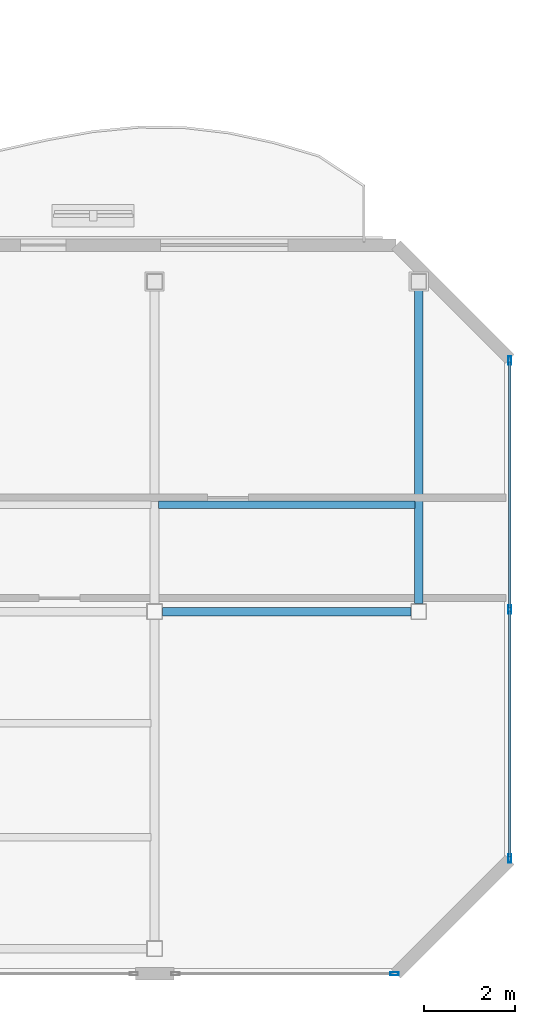
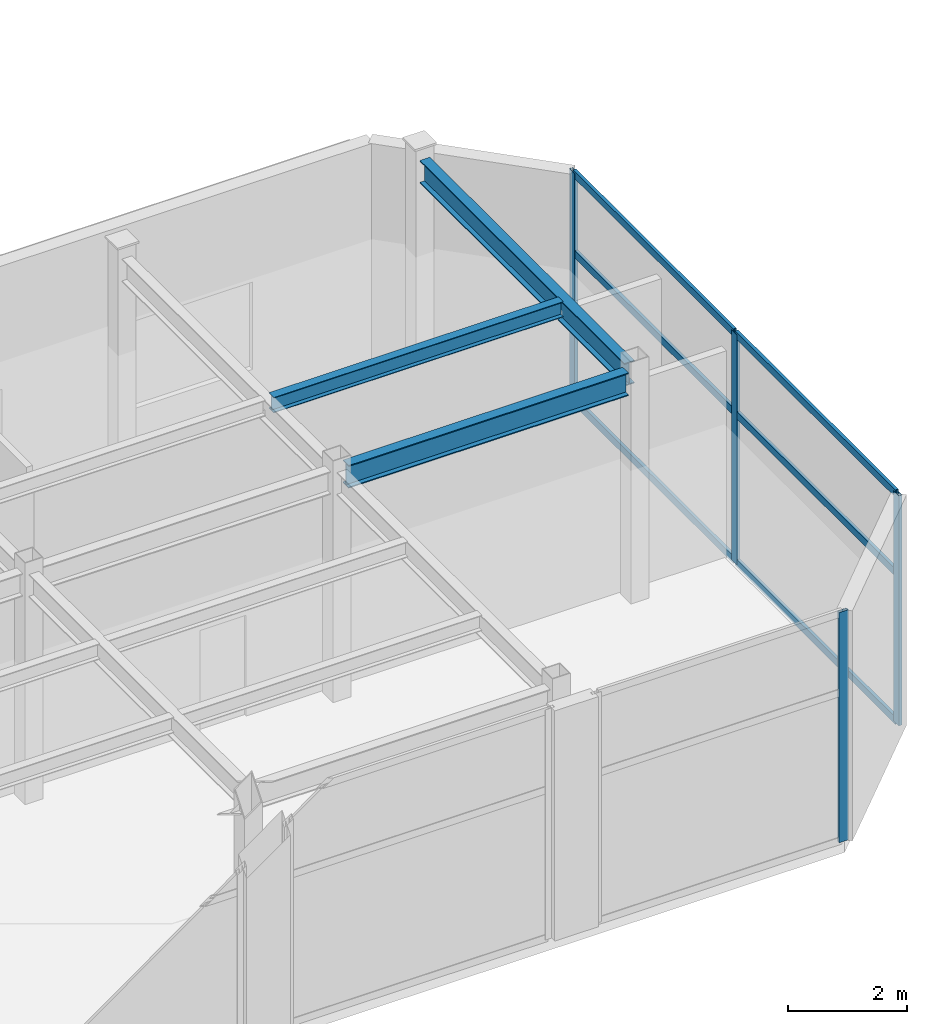
# One storey, part 7 of 16: 10 members, 3 beams, 2 elements without a shape of their own.
"""IFC4 building model written with IfcOpenShell, lengths in metres."""

from ifc_helpers import new_model, si_unit, direction, frame, origin, origin_2d, place, context, subcontext, project, spatial, hollow_rectangle, i_section, extrude, material, layer, layer_set, material_profile, profile_set, type_object, element, aggregate, save


model = new_model("IFC4")

# Units and contexts
model_context = context("Model", 3, precision=1e-05, world=origin(), true_north=direction((0.0, 1.0)))
body_context = subcontext(model_context, "Body", "Model", "MODEL_VIEW")
ifc_project = project(units=[si_unit("LENGTHUNIT", "METRE"), si_unit("AREAUNIT", "SQUARE_METRE"), si_unit("VOLUMEUNIT", "CUBIC_METRE"), si_unit("PLANEANGLEUNIT", "RADIAN"), si_unit("MASSUNIT", "GRAM", prefix="KILO")], contexts=[model_context])

# Site, building, storey
site_placement = place(None, origin())
site = spatial("IfcSite", under=ifc_project, at=site_placement, CompositionType="ELEMENT")
building_placement = place(site_placement, origin())
building = spatial("IfcBuilding", under=site, at=building_placement, Name="Mawjaban Terraces University", CompositionType="ELEMENT")
storey_placement = place(building_placement, frame((0.0, 0.0, 311.699951171875)))
storey = spatial("IfcBuildingStorey", under=building, at=storey_placement, Name="L76", CompositionType="ELEMENT", Elevation=311.699951171875)

# Beams
ifc_material_1 = material(Name="Steel ASTM A572 Grade 50", Category="steel")
ifc_material_profile_1 = material_profile(ifc_material_1, i_section(OverallWidth=0.194091796875, OverallDepth=0.468994140625, WebThickness=0.011474609375, FlangeThickness=0.0205078125, at=origin_2d()), Name="W460X106")
ifc_profile_set_1 = profile_set([ifc_material_profile_1], Name="Steel ASTM A572 Grade 50")
beam_type_1 = type_object("IfcBeamType", Name="Beam_B_W460X106", PredefinedType="BEAM", material=ifc_profile_set_1)
beam_1_placement = place(storey_placement, frame((52.175048828125, 7.949951171875, 4.505126953125), z_axis=(1.0, 0.0, 0.0), x_axis=(0.0, 1.0, 0.0)))
element("IfcBeam", 1, at=beam_1_placement, inside=storey, type_object=beam_type_1, Name="L76 Beam BM-L76-EW-05", PredefinedType="BEAM", context=body_context, shape_type="SweptSolid", body=[
    extrude(i_section(OverallWidth=0.194091796875, OverallDepth=0.468994140625, WebThickness=0.011474609375, FlangeThickness=0.0205078125, at=origin_2d()), origin(), (0.0, 0.0, 1.0), 5.449951171875),
])
beam_2_placement = place(storey_placement, frame((57.800048828125, 8.125, 4.505126953125), z_axis=(0.0, 1.0, 0.0), x_axis=(-1.0, 0.0, 0.0)))
element("IfcBeam", 2, at=beam_2_placement, inside=storey, type_object=beam_type_1, Name="L76 Beam BM-L76-NS-12", PredefinedType="BEAM", context=body_context, shape_type="SweptSolid", body=[
    extrude(i_section(OverallWidth=0.194091796875, OverallDepth=0.468994140625, WebThickness=0.011474609375, FlangeThickness=0.0205078125, at=origin_2d()), origin(), (0.0, 0.0, 1.0), 6.89990234375),
])
ifc_material_profile_2 = material_profile(ifc_material_1, i_section(OverallWidth=0.1669921875, OverallDepth=0.318115234375, WebThickness=0.007568359375, FlangeThickness=0.01318359375, at=origin_2d()), Name="W310X52")
ifc_profile_set_2 = profile_set([ifc_material_profile_2], Name="Steel ASTM A572 Grade 50")
beam_type_2 = type_object("IfcBeamType", Name="Beam_J_W310X52", PredefinedType="JOIST", material=ifc_profile_set_2)
beam_3_placement = place(storey_placement, frame((52.080078125, 10.300048828125, 4.5810546875), z_axis=(1.0, 0.0, 0.0), x_axis=(0.0, 1.0, 0.0)))
element("IfcBeam", 3, at=beam_3_placement, inside=storey, type_object=beam_type_2, Name="L76 Composite Joist JST-L76-07", PredefinedType="JOIST", context=body_context, shape_type="SweptSolid", body=[
    extrude(i_section(OverallWidth=0.1669921875, OverallDepth=0.318115234375, WebThickness=0.007568359375, FlangeThickness=0.01318359375, at=origin_2d()), origin(), (0.0, 0.0, 1.0), 5.639892578125),
])

# Curtain wall, member
ifc_material_2 = material(Name="Anodised aluminium 6063-T6 and solar-control low-E glass", Category="aluminium")
ifc_layer = layer(ifc_material_2, 0.199951171875)
ifc_layer_set = layer_set([ifc_layer], Name="Anodised aluminium 6063-T6 and solar-control low-E glass")
curtain_wall_type = type_object("IfcCurtainWallType", Name="CWSystem_06_ObservationCrown", PredefinedType="NOTDEFINED", material=ifc_layer_set)
curtain_wall_1_placement = place(storey_placement, origin())
curtain_wall_1 = element("IfcCurtainWall", 4, at=curtain_wall_1_placement, inside=storey, type_object=curtain_wall_type, Name="L76 Curtain Wall CW-06 Run 1.5", PredefinedType="NOTDEFINED")
ifc_material_3 = material(Name="Anodised aluminium 6063-T6", Category="aluminium")
ifc_material_profile_3 = material_profile(ifc_material_3, hollow_rectangle(XDim=0.06494140625, YDim=0.179931640625, WallThickness=0.00390625, at=origin_2d()), Name="ALU180X65X4")
ifc_profile_set_3 = profile_set([ifc_material_profile_3], Name="Anodised aluminium 6063-T6")
member_type_1 = type_object("IfcMemberType", Name="Mullion_CW-06", PredefinedType="MULLION", material=ifc_profile_set_3)
member_1_placement = place(storey_placement, frame((57.267578125, 0.0, 0.0), z_axis=(0.0, 0.0, 1.0), x_axis=(0.0, 1.0, 0.0)))
member_1 = element("IfcMember", 5, at=member_1_placement, type_object=member_type_1, Name="CW-06 mullion 2", PredefinedType="MULLION", context=body_context, shape_type="SweptSolid", body=[
    extrude(hollow_rectangle(XDim=0.06494140625, YDim=0.179931640625, WallThickness=0.00390625, at=origin_2d()), origin(), (0.0, 0.0, 1.0), 4.739990234375),
])
aggregate(curtain_wall_1, [member_1])

# Curtain wall, members
curtain_wall_2_placement = place(storey_placement, origin())
curtain_wall_2 = element("IfcCurtainWall", 6, at=curtain_wall_2_placement, inside=storey, type_object=curtain_wall_type, Name="L76 Curtain Wall CW-06 Run 3.1", PredefinedType="NOTDEFINED")
member_2_placement = place(storey_placement, frame((59.800048828125, 2.532470703125, 0.0), z_axis=(0.0, 0.0, 1.0), x_axis=(-1.0, 0.0, 0.0)))
member_2 = element("IfcMember", 7, at=member_2_placement, type_object=member_type_1, Name="CW-06 mullion 1", PredefinedType="MULLION", context=body_context, shape_type="SweptSolid", body=[
    extrude(hollow_rectangle(XDim=0.06494140625, YDim=0.179931640625, WallThickness=0.00390625, at=origin_2d()), origin(), (0.0, 0.0, 1.0), 4.739990234375),
])
member_3_placement = place(storey_placement, frame((59.800048828125, 8.0, 0.0), z_axis=(0.0, 0.0, 1.0), x_axis=(-1.0, 0.0, 0.0)))
member_3 = element("IfcMember", 8, at=member_3_placement, type_object=member_type_1, Name="CW-06 mullion 2", PredefinedType="MULLION", context=body_context, shape_type="SweptSolid", body=[
    extrude(hollow_rectangle(XDim=0.06494140625, YDim=0.179931640625, WallThickness=0.00390625, at=origin_2d()), origin(), (0.0, 0.0, 1.0), 4.739990234375),
])
member_4_placement = place(storey_placement, frame((59.800048828125, 13.467529296875, 0.0), z_axis=(0.0, 0.0, 1.0), x_axis=(-1.0, 0.0, 0.0)))
member_4 = element("IfcMember", 9, at=member_4_placement, type_object=member_type_1, Name="CW-06 mullion 3", PredefinedType="MULLION", context=body_context, shape_type="SweptSolid", body=[
    extrude(hollow_rectangle(XDim=0.06494140625, YDim=0.179931640625, WallThickness=0.00390625, at=origin_2d()), origin(), (0.0, 0.0, 1.0), 4.739990234375),
])
ifc_material_profile_4 = material_profile(ifc_material_3, hollow_rectangle(XDim=0.06005859375, YDim=0.14990234375, WallThickness=0.00390625, at=origin_2d()), Name="ALU150X60X4")
ifc_profile_set_4 = profile_set([ifc_material_profile_4], Name="Anodised aluminium 6063-T6")
member_type_2 = type_object("IfcMemberType", Name="Transom_CW-06", PredefinedType="NOTDEFINED", material=ifc_profile_set_4)
member_5_placement = place(storey_placement, frame((59.800048828125, 2.56494140625, 0.030029296875), z_axis=(0.0, 1.0, 0.0), x_axis=(-1.0, 0.0, 0.0)))
member_5 = element("IfcMember", 10, at=member_5_placement, type_object=member_type_2, Name="CW-06 transom 1.1", ObjectType="TRANSOM", PredefinedType="USERDEFINED", context=body_context, shape_type="SweptSolid", body=[
    extrude(hollow_rectangle(XDim=0.06005859375, YDim=0.14990234375, WallThickness=0.00390625, at=origin_2d()), origin(), (0.0, 0.0, 1.0), 5.402587890625),
])
member_6_placement = place(storey_placement, frame((59.800048828125, 2.56494140625, 3.0810546875), z_axis=(0.0, 1.0, 0.0), x_axis=(-1.0, 0.0, 0.0)))
member_6 = element("IfcMember", 11, at=member_6_placement, type_object=member_type_2, Name="CW-06 transom 1.2", ObjectType="TRANSOM", PredefinedType="USERDEFINED", context=body_context, shape_type="SweptSolid", body=[
    extrude(hollow_rectangle(XDim=0.06005859375, YDim=0.14990234375, WallThickness=0.00390625, at=origin_2d()), origin(), (0.0, 0.0, 1.0), 5.402587890625),
])
member_7_placement = place(storey_placement, frame((59.800048828125, 2.56494140625, 4.7099609375), z_axis=(0.0, 1.0, 0.0), x_axis=(-1.0, 0.0, 0.0)))
member_7 = element("IfcMember", 12, at=member_7_placement, type_object=member_type_2, Name="CW-06 transom 1.3", ObjectType="TRANSOM", PredefinedType="USERDEFINED", context=body_context, shape_type="SweptSolid", body=[
    extrude(hollow_rectangle(XDim=0.06005859375, YDim=0.14990234375, WallThickness=0.00390625, at=origin_2d()), origin(), (0.0, 0.0, 1.0), 5.402587890625),
])
member_8_placement = place(storey_placement, frame((59.800048828125, 8.032470703125, 0.030029296875), z_axis=(0.0, 1.0, 0.0), x_axis=(-1.0, 0.0, 0.0)))
member_8 = element("IfcMember", 13, at=member_8_placement, type_object=member_type_2, Name="CW-06 transom 2.1", ObjectType="TRANSOM", PredefinedType="USERDEFINED", context=body_context, shape_type="SweptSolid", body=[
    extrude(hollow_rectangle(XDim=0.06005859375, YDim=0.14990234375, WallThickness=0.00390625, at=origin_2d()), origin(), (0.0, 0.0, 1.0), 5.402587890625),
])
member_9_placement = place(storey_placement, frame((59.800048828125, 8.032470703125, 3.0810546875), z_axis=(0.0, 1.0, 0.0), x_axis=(-1.0, 0.0, 0.0)))
member_9 = element("IfcMember", 14, at=member_9_placement, type_object=member_type_2, Name="CW-06 transom 2.2", ObjectType="TRANSOM", PredefinedType="USERDEFINED", context=body_context, shape_type="SweptSolid", body=[
    extrude(hollow_rectangle(XDim=0.06005859375, YDim=0.14990234375, WallThickness=0.00390625, at=origin_2d()), origin(), (0.0, 0.0, 1.0), 5.402587890625),
])
member_10_placement = place(storey_placement, frame((59.800048828125, 8.032470703125, 4.7099609375), z_axis=(0.0, 1.0, 0.0), x_axis=(-1.0, 0.0, 0.0)))
member_10 = element("IfcMember", 15, at=member_10_placement, type_object=member_type_2, Name="CW-06 transom 2.3", ObjectType="TRANSOM", PredefinedType="USERDEFINED", context=body_context, shape_type="SweptSolid", body=[
    extrude(hollow_rectangle(XDim=0.06005859375, YDim=0.14990234375, WallThickness=0.00390625, at=origin_2d()), origin(), (0.0, 0.0, 1.0), 5.402587890625),
])
aggregate(curtain_wall_2, [member_2, member_3, member_4, member_5, member_6, member_7, member_8, member_9, member_10])

save(model, "model.ifc")
